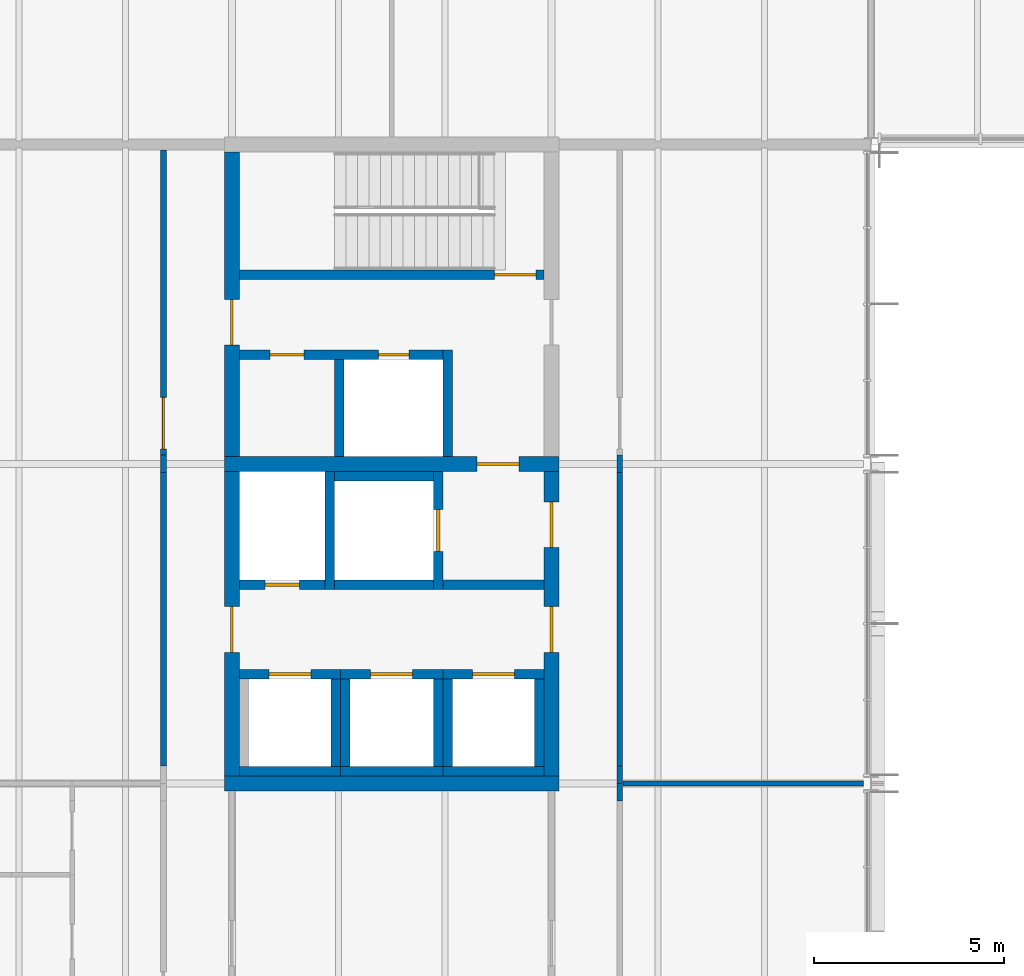
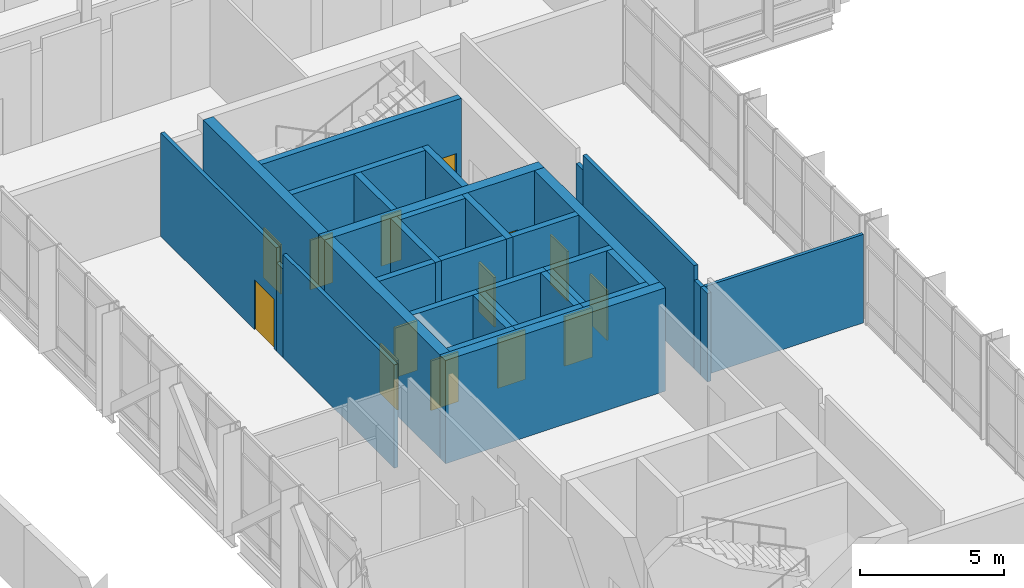
# One storey, part 45 of 72: 34 walls, 14 doors, 14 openings.
"""IFC4 building model written with IfcOpenShell, lengths in metres."""

from ifc_helpers import new_model, si_unit, direction, frame, frame_2d, origin, place, context, subcontext, project, spatial, rectangle, extrude, material, layer, layer_set, type_object, element, fill, save


model = new_model("IFC4")

# Units and contexts
model_context = context("Model", 3, precision=1e-05, world=origin(), true_north=direction((0.0, 1.0)))
body_context = subcontext(model_context, "Body", "Model", "MODEL_VIEW")
ifc_project = project(units=[si_unit("LENGTHUNIT", "METRE"), si_unit("AREAUNIT", "SQUARE_METRE"), si_unit("VOLUMEUNIT", "CUBIC_METRE"), si_unit("PLANEANGLEUNIT", "RADIAN"), si_unit("MASSUNIT", "GRAM", prefix="KILO")], contexts=[model_context])

# Site, building, storey
site_placement = place(None, origin())
site = spatial("IfcSite", under=ifc_project, at=site_placement, CompositionType="ELEMENT")
building_placement = place(site_placement, origin())
building = spatial("IfcBuilding", under=site, at=building_placement, Name="Hlaing Beacon Police Headquarters", CompositionType="ELEMENT")
storey_placement = place(building_placement, frame((0.0, 0.0, 14.39990234375)))
storey = spatial("IfcBuildingStorey", under=building, at=storey_placement, Name="L03", CompositionType="ELEMENT", Elevation=14.39990234375)

# Wall
ifc_material_1 = material(Name="Concrete C60/75", Category="concrete")
ifc_layer_1 = layer(ifc_material_1, 0.39990234375)
ifc_layer_set_1 = layer_set([ifc_layer_1], Name="Concrete C60/75")
wall_type_1 = type_object("IfcWallType", Name="Core shear wall 400", PredefinedType="SHEAR", material=ifc_layer_set_1)
wall_1_placement = place(storey_placement, frame((109.0, 50.39990234375, 0.0), z_axis=(0.0, 0.0, 1.0), x_axis=(1.0, 0.0, 0.0)))
element("IfcWall", 1, at=wall_1_placement, inside=storey, type_object=wall_type_1, Name="Core shear wall", PredefinedType="SHEAR", context=body_context, shape_type="SweptSolid", body=[
    extrude(rectangle(XDim=8.800048828125, YDim=0.39990234375, at=frame_2d((4.39990234375, 0.0))), origin(), (0.0, 0.0, 1.0), 4.3701171875),
])

# Wall, opening, door
wall_2_placement = place(storey_placement, frame((109.0, 58.800048828125, 0.0), z_axis=(0.0, 0.0, 1.0), x_axis=(1.0, 0.0, 0.0)))
wall_2 = element("IfcWall", 2, at=wall_2_placement, inside=storey, type_object=wall_type_1, Name="Core shear wall", PredefinedType="SHEAR", context=body_context, shape_type="SweptSolid", body=[
    extrude(rectangle(XDim=8.800048828125, YDim=0.39990234375, at=frame_2d((4.39990234375, 0.0))), origin(), (0.0, 0.0, 1.0), 4.3701171875),
])
opening_1_placement = place(wall_2_placement, frame((6.64990234375, 0.0, 0.0)))
opening_1 = element("IfcOpeningElement", 3, at=opening_1_placement, cuts=wall_2, Name="Opening L03-910", PredefinedType="OPENING", context=body_context, shape_type="SweptSolid", body=[
    extrude(rectangle(XDim=1.10009765625, YDim=2.10009765625, at=frame_2d((0.550048828125, 1.050048828125))), frame((0.0, 0.2099609375, 0.0), z_axis=(0.0, -1.0, 0.0), x_axis=(1.0, 0.0, 0.0)), (0.0, 0.0, 1.0), 0.419921875),
])
ifc_material_2 = material(Name="Steel fire door leaf", Category="steel")
ifc_layer_2 = layer(ifc_material_2, 0.070068359375)
ifc_layer_set_2 = layer_set([ifc_layer_2], Name="Steel fire door leaf")
door_type_1 = type_object("IfcDoorType", Name="Steel fire door FD60S 1100x2100", OperationType="SINGLE_SWING_LEFT", PredefinedType="DOOR", material=ifc_layer_set_2)
door_1_placement = place(opening_1_placement, origin())
door_1 = element("IfcDoor", 4, at=door_1_placement, inside=storey, type_object=door_type_1, Name="Door Firefighting Lobby Stair", OperationType="SINGLE_SWING_LEFT", OverallHeight=2.10009765625, OverallWidth=1.10009765625, PredefinedType="DOOR", context=body_context, shape_type="SweptSolid", body=[
    extrude(rectangle(XDim=1.10009765625, YDim=2.10009765625, at=frame_2d((0.550048828125, 1.050048828125))), frame((0.0, 0.03515625, 0.0), z_axis=(0.0, -1.0, 0.0), x_axis=(1.0, 0.0, 0.0)), (0.0, 0.0, 1.0), 0.070068359375),
])
fill(opening_1, door_1)

wall_3_placement = place(storey_placement, frame((109.199951171875, 50.60009765625, 0.0), z_axis=(0.0, 0.0, 1.0), x_axis=(0.0, 1.0, 0.0)))
wall_3 = element("IfcWall", 5, at=wall_3_placement, inside=storey, type_object=wall_type_1, Name="Core shear wall", PredefinedType="SHEAR", context=body_context, shape_type="SweptSolid", body=[
    extrude(rectangle(XDim=8.0, YDim=0.39990234375, at=frame_2d((4.0, 0.0))), origin(), (0.0, 0.0, 1.0), 4.3701171875),
])
opening_2_placement = place(wall_3_placement, frame((3.25, 0.0, 0.0)))
opening_2 = element("IfcOpeningElement", 6, at=opening_2_placement, cuts=wall_3, Name="Opening L03-907", PredefinedType="OPENING", context=body_context, shape_type="SweptSolid", body=[
    extrude(rectangle(XDim=1.199951171875, YDim=2.10009765625, at=frame_2d((0.60009765625, 1.050048828125))), frame((0.0, 0.2099609375, 0.0), z_axis=(0.0, -1.0, 0.0), x_axis=(1.0, 0.0, 0.0)), (0.0, 0.0, 1.0), 0.419921875),
])
ifc_material_3 = material(Name="Steel fire door leaf", Category="steel")
ifc_layer_3 = layer(ifc_material_3, 0.070068359375)
ifc_layer_set_3 = layer_set([ifc_layer_3], Name="Steel fire door leaf")
door_type_2 = type_object("IfcDoorType", Name="Steel fire door FD60S 1200x2100", OperationType="SINGLE_SWING_LEFT", PredefinedType="DOOR", material=ifc_layer_set_3)
door_2_placement = place(opening_2_placement, frame((1.199951171875, 0.0, 0.0), z_axis=(0.0, 0.0, 1.0), x_axis=(-1.0, 0.0, 0.0)))
door_2 = element("IfcDoor", 7, at=door_2_placement, inside=storey, type_object=door_type_2, Name="Door Lift Lobby Entry", OperationType="SINGLE_SWING_LEFT", OverallHeight=2.10009765625, OverallWidth=1.199951171875, PredefinedType="DOOR", context=body_context, shape_type="SweptSolid", body=[
    extrude(rectangle(XDim=1.199951171875, YDim=2.10009765625, at=frame_2d((0.599853515625, 1.050048828125))), frame((0.0, 0.034912109375, 0.0), z_axis=(0.0, -1.0, 0.0), x_axis=(1.0, 0.0, 0.0)), (0.0, 0.0, 1.0), 0.070068359375),
])
fill(opening_2, door_2)

# Wall, openings, doors
wall_4_placement = place(storey_placement, frame((117.60009765625, 50.60009765625, 0.0), z_axis=(0.0, 0.0, 1.0), x_axis=(0.0, 1.0, 0.0)))
wall_4 = element("IfcWall", 8, at=wall_4_placement, inside=storey, type_object=wall_type_1, Name="Core shear wall", PredefinedType="SHEAR", context=body_context, shape_type="SweptSolid", body=[
    extrude(rectangle(XDim=8.0, YDim=0.39990234375, at=frame_2d((4.0, 0.0))), origin(), (0.0, 0.0, 1.0), 4.3701171875),
])
opening_3_placement = place(wall_4_placement, frame((3.25, 0.0, 0.0)))
opening_3 = element("IfcOpeningElement", 9, at=opening_3_placement, cuts=wall_4, Name="Opening L03-908", PredefinedType="OPENING", context=body_context, shape_type="SweptSolid", body=[
    extrude(rectangle(XDim=1.199951171875, YDim=2.10009765625, at=frame_2d((0.60009765625, 1.050048828125))), frame((0.0, 0.2099609375, 0.0), z_axis=(0.0, -1.0, 0.0), x_axis=(1.0, 0.0, 0.0)), (0.0, 0.0, 1.0), 0.419921875),
])
opening_4_placement = place(wall_4_placement, frame((6.0, 0.0, 0.0)))
opening_4 = element("IfcOpeningElement", 10, at=opening_4_placement, cuts=wall_4, Name="Opening L03-909", PredefinedType="OPENING", context=body_context, shape_type="SweptSolid", body=[
    extrude(rectangle(XDim=1.199951171875, YDim=2.10009765625, at=frame_2d((0.60009765625, 1.050048828125))), frame((0.0, 0.2099609375, 0.0), z_axis=(0.0, -1.0, 0.0), x_axis=(1.0, 0.0, 0.0)), (0.0, 0.0, 1.0), 0.419921875),
])
door_3_placement = place(opening_3_placement, origin())
door_3 = element("IfcDoor", 11, at=door_3_placement, inside=storey, type_object=door_type_2, Name="Door Lift Lobby Entry", OperationType="SINGLE_SWING_RIGHT", OverallHeight=2.10009765625, OverallWidth=1.199951171875, PredefinedType="DOOR", context=body_context, shape_type="SweptSolid", body=[
    extrude(rectangle(XDim=1.199951171875, YDim=2.10009765625, at=frame_2d((0.60009765625, 1.050048828125))), frame((0.0, 0.03515625, 0.0), z_axis=(0.0, -1.0, 0.0), x_axis=(1.0, 0.0, 0.0)), (0.0, 0.0, 1.0), 0.070068359375),
])
fill(opening_3, door_3)
door_4_placement = place(opening_4_placement, origin())
door_4 = element("IfcDoor", 12, at=door_4_placement, inside=storey, type_object=door_type_2, Name="Door Firefighting Lobby Entry", OperationType="SINGLE_SWING_LEFT", OverallHeight=2.10009765625, OverallWidth=1.199951171875, PredefinedType="DOOR", context=body_context, shape_type="SweptSolid", body=[
    extrude(rectangle(XDim=1.199951171875, YDim=2.10009765625, at=frame_2d((0.60009765625, 1.050048828125))), frame((0.0, 0.03515625, 0.0), z_axis=(0.0, -1.0, 0.0), x_axis=(1.0, 0.0, 0.0)), (0.0, 0.0, 1.0), 0.070068359375),
])
fill(opening_4, door_4)

# Wall, opening, door
wall_5_placement = place(storey_placement, frame((109.199951171875, 59.0, 0.0), z_axis=(0.0, 0.0, 1.0), x_axis=(0.0, 1.0, 0.0)))
wall_5 = element("IfcWall", 13, at=wall_5_placement, inside=storey, type_object=wall_type_1, Name="Core shear wall", PredefinedType="SHEAR", context=body_context, shape_type="SweptSolid", body=[
    extrude(rectangle(XDim=8.0, YDim=0.39990234375, at=frame_2d((4.0, 0.0))), origin(), (0.0, 0.0, 1.0), 4.3701171875),
])
opening_5_placement = place(wall_5_placement, frame((2.925048828125, 0.0, 0.0)))
opening_5 = element("IfcOpeningElement", 14, at=opening_5_placement, cuts=wall_5, Name="Opening L03-913", PredefinedType="OPENING", context=body_context, shape_type="SweptSolid", body=[
    extrude(rectangle(XDim=1.199951171875, YDim=2.10009765625, at=frame_2d((0.60009765625, 1.050048828125))), frame((0.0, 0.2099609375, 0.0), z_axis=(0.0, -1.0, 0.0), x_axis=(1.0, 0.0, 0.0)), (0.0, 0.0, 1.0), 0.419921875),
])
door_5_placement = place(opening_5_placement, frame((1.199951171875, 0.0, 0.0), z_axis=(0.0, 0.0, 1.0), x_axis=(-1.0, 0.0, 0.0)))
door_5 = element("IfcDoor", 15, at=door_5_placement, inside=storey, type_object=door_type_2, Name="Door Stair Lobby ST-M Entry", OperationType="SINGLE_SWING_LEFT", OverallHeight=2.10009765625, OverallWidth=1.199951171875, PredefinedType="DOOR", context=body_context, shape_type="SweptSolid", body=[
    extrude(rectangle(XDim=1.199951171875, YDim=2.10009765625, at=frame_2d((0.599853515625, 1.050048828125))), frame((0.0, 0.034912109375, 0.0), z_axis=(0.0, -1.0, 0.0), x_axis=(1.0, 0.0, 0.0)), (0.0, 0.0, 1.0), 0.070068359375),
])
fill(opening_5, door_5)

# Walls
ifc_material_4 = material(Name="Gypsum board partition")
ifc_layer_4 = layer(ifc_material_4, 0.14990234375)
ifc_layer_set_4 = layer_set([ifc_layer_4], Name="Gypsum board partition")
wall_type_2 = type_object("IfcWallType", Name="Corridor wall EI 30 150", PredefinedType="PARTITIONING", material=ifc_layer_set_4)
wall_6_placement = place(storey_placement, frame((119.39990234375, 49.93994140625, 0.0), z_axis=(0.0, 0.0, 1.0), x_axis=(0.0, 1.0, 0.0)))
element("IfcWall", 16, at=wall_6_placement, inside=storey, type_object=wall_type_2, Name="Corridor wall EI 30 150", PredefinedType="PARTITIONING", context=body_context, shape_type="SweptSolid", body=[
    extrude(rectangle(XDim=0.4599609375, YDim=0.14990234375, at=frame_2d((0.22998046875, 0.0))), origin(), (0.0, 0.0, 1.0), 3.74609375),
])
wall_7_placement = place(storey_placement, frame((119.39990234375, 50.39990234375, 0.0), z_axis=(0.0, 0.0, 1.0), x_axis=(0.0, 1.0, 0.0)))
element("IfcWall", 17, at=wall_7_placement, inside=storey, type_object=wall_type_2, Name="Corridor wall EI 30 150", PredefinedType="PARTITIONING", context=body_context, shape_type="SweptSolid", body=[
    extrude(rectangle(XDim=0.460205078125, YDim=0.14990234375, at=frame_2d((0.22998046875, 0.0))), origin(), (0.0, 0.0, 1.0), 3.74609375),
])
wall_8_placement = place(storey_placement, frame((119.39990234375, 50.860107421875, 0.0), z_axis=(0.0, 0.0, 1.0), x_axis=(0.0, 1.0, 0.0)))
element("IfcWall", 18, at=wall_8_placement, inside=storey, type_object=wall_type_2, Name="Corridor wall EI 30 150", PredefinedType="PARTITIONING", context=body_context, shape_type="SweptSolid", body=[
    extrude(rectangle(XDim=7.7099609375, YDim=0.14990234375, at=frame_2d((3.85498046875, 0.0))), origin(), (0.0, 0.0, 1.0), 4.3701171875),
])
wall_9_placement = place(storey_placement, frame((119.39990234375, 58.570068359375, 0.0), z_axis=(0.0, 0.0, 1.0), x_axis=(0.0, 1.0, 0.0)))
element("IfcWall", 19, at=wall_9_placement, inside=storey, type_object=wall_type_2, Name="Corridor wall EI 30 150", PredefinedType="PARTITIONING", context=body_context, shape_type="SweptSolid", body=[
    extrude(rectangle(XDim=0.4599609375, YDim=0.14990234375, at=frame_2d((0.22998046875, 0.0))), origin(), (0.0, 0.0, 1.0), 3.74609375),
])
wall_10_placement = place(storey_placement, frame((107.39990234375, 50.860107421875, 0.0), z_axis=(0.0, 0.0, 1.0), x_axis=(0.0, 1.0, 0.0)))
element("IfcWall", 20, at=wall_10_placement, inside=storey, type_object=wall_type_2, Name="Corridor wall EI 30 150", PredefinedType="PARTITIONING", context=body_context, shape_type="SweptSolid", body=[
    extrude(rectangle(XDim=7.7099609375, YDim=0.14990234375, at=frame_2d((3.85498046875, 0.0))), origin(), (0.0, 0.0, 1.0), 4.3701171875),
])
wall_11_placement = place(storey_placement, frame((107.39990234375, 58.570068359375, 0.0), z_axis=(0.0, 0.0, 1.0), x_axis=(0.0, 1.0, 0.0)))
element("IfcWall", 21, at=wall_11_placement, inside=storey, type_object=wall_type_2, Name="Corridor wall EI 30 150", PredefinedType="PARTITIONING", context=body_context, shape_type="SweptSolid", body=[
    extrude(rectangle(XDim=0.4599609375, YDim=0.14990234375, at=frame_2d((0.22998046875, 0.0))), origin(), (0.0, 0.0, 1.0), 3.74609375),
])

# Wall, opening, door
wall_12_placement = place(storey_placement, frame((107.39990234375, 59.030029296875, 0.0), z_axis=(0.0, 0.0, 1.0), x_axis=(0.0, 1.0, 0.0)))
wall_12 = element("IfcWall", 22, at=wall_12_placement, inside=storey, type_object=wall_type_2, Name="Corridor wall EI 30 150", PredefinedType="PARTITIONING", context=body_context, shape_type="SweptSolid", body=[
    extrude(rectangle(XDim=8.02001953125, YDim=0.14990234375, at=frame_2d((4.010009765625, 0.0))), origin(), (0.0, 0.0, 1.0), 4.3701171875),
])
opening_6_placement = place(wall_12_placement, frame((0.169921875, 0.0, 0.0)))
opening_6 = element("IfcOpeningElement", 23, at=opening_6_placement, cuts=wall_12, Name="Opening L03-022", PredefinedType="OPENING", context=body_context, shape_type="SweptSolid", body=[
    extrude(rectangle(XDim=1.35009765625, YDim=2.10009765625, at=frame_2d((0.675048828125, 1.050048828125))), frame((0.0, 0.0849609375, 0.0), z_axis=(0.0, -1.0, 0.0), x_axis=(1.0, 0.0, 0.0)), (0.0, 0.0, 1.0), 0.169921875),
])
ifc_material_5 = material(Name="Hardwood door leaf", Category="wood")
ifc_layer_5 = layer(ifc_material_5, 0.050048828125)
ifc_layer_set_5 = layer_set([ifc_layer_5], Name="Hardwood door leaf")
door_type_3 = type_object("IfcDoorType", Name="Fire leaf-and-a-half door FD30S 1350x2100", OperationType="DOUBLE_DOOR_SINGLE_SWING", PredefinedType="DOOR", material=ifc_layer_set_5)
door_6_placement = place(opening_6_placement, origin())
door_6 = element("IfcDoor", 24, at=door_6_placement, inside=storey, type_object=door_type_3, Name="Door Major Crime Analysts' Office", OperationType="DOUBLE_DOOR_SINGLE_SWING", OverallHeight=2.10009765625, OverallWidth=1.35009765625, PredefinedType="DOOR", context=body_context, shape_type="SweptSolid", body=[
    extrude(rectangle(XDim=1.35009765625, YDim=2.10009765625, at=frame_2d((0.675048828125, 1.050048828125))), frame((0.0, 0.02490234375, 0.0), z_axis=(0.0, -1.0, 0.0), x_axis=(1.0, 0.0, 0.0)), (0.0, 0.0, 1.0), 0.050048828125),
])
fill(opening_6, door_6)

# Wall
ifc_material_6 = material(Name="Gypsum board partition")
ifc_layer_6 = layer(ifc_material_6, 0.125)
ifc_layer_set_6 = layer_set([ifc_layer_6], Name="Gypsum board partition")
wall_type_3 = type_object("IfcWallType", Name="Partition 125", PredefinedType="PARTITIONING", material=ifc_layer_set_6)
wall_13_placement = place(storey_placement, frame((119.47509765625, 50.39990234375, 0.0), z_axis=(0.0, 0.0, 1.0), x_axis=(1.0, 0.0, 0.0)))
element("IfcWall", 25, at=wall_13_placement, inside=storey, type_object=wall_type_3, Name="Partition 125", PredefinedType="PARTITIONING", context=body_context, shape_type="SweptSolid", body=[
    extrude(rectangle(XDim=6.326904296875, YDim=0.125, at=frame_2d((3.16357421875, 0.0))), origin(), (0.0, 0.0, 1.0), 3.74609375),
])

# Wall, opening, door
ifc_material_7 = material(Name="Concrete C40/50", Category="concrete")
ifc_layer_7 = layer(ifc_material_7, 0.25)
ifc_layer_set_7 = layer_set([ifc_layer_7], Name="Concrete C40/50")
wall_type_4 = type_object("IfcWallType", Name="Shaft wall 250", PredefinedType="SOLIDWALL", material=ifc_layer_set_7)
wall_14_placement = place(storey_placement, frame((109.39990234375, 55.625, 0.0), z_axis=(0.0, 0.0, 1.0), x_axis=(1.0, 0.0, 0.0)))
wall_14 = element("IfcWall", 26, at=wall_14_placement, inside=storey, type_object=wall_type_4, Name="Lobby wall", PredefinedType="SOLIDWALL", context=body_context, shape_type="SweptSolid", body=[
    extrude(rectangle(XDim=2.25, YDim=0.25, at=frame_2d((1.125, 0.0))), origin(), (0.0, 0.0, 1.0), 4.3701171875),
])
opening_7_placement = place(wall_14_placement, frame((0.675048828125, 0.0, 0.0)))
opening_7 = element("IfcOpeningElement", 27, at=opening_7_placement, cuts=wall_14, Name="Opening L03-911", PredefinedType="OPENING", context=body_context, shape_type="SweptSolid", body=[
    extrude(rectangle(XDim=0.89990234375, YDim=2.10009765625, at=frame_2d((0.449951171875, 1.050048828125))), frame((0.0, 0.135009765625, 0.0), z_axis=(0.0, -1.0, 0.0), x_axis=(1.0, 0.0, 0.0)), (0.0, 0.0, 1.0), 0.27001953125),
])
ifc_material_8 = material(Name="Steel fire door leaf", Category="steel")
ifc_layer_8 = layer(ifc_material_8, 0.10009765625)
ifc_layer_set_8 = layer_set([ifc_layer_8], Name="Steel fire door leaf")
door_type_4 = type_object("IfcDoorType", Name="Steel fire door FD120 900x2100", OperationType="SINGLE_SWING_LEFT", PredefinedType="DOOR", material=ifc_layer_set_8)
door_7_placement = place(opening_7_placement, origin())
door_7 = element("IfcDoor", 28, at=door_7_placement, inside=storey, type_object=door_type_4, Name="Door Electrical Riser Room", OperationType="SINGLE_SWING_LEFT", OverallHeight=2.10009765625, OverallWidth=0.89990234375, PredefinedType="DOOR", context=body_context, shape_type="SweptSolid", body=[
    extrude(rectangle(XDim=0.89990234375, YDim=2.10009765625, at=frame_2d((0.449951171875, 1.050048828125))), frame((0.0, 0.050048828125, 0.0), z_axis=(0.0, -1.0, 0.0), x_axis=(1.0, 0.0, 0.0)), (0.0, 0.0, 1.0), 0.10009765625),
])
fill(opening_7, door_7)

# Wall
wall_15_placement = place(storey_placement, frame((114.75, 55.625, 0.0), z_axis=(0.0, 0.0, 1.0), x_axis=(1.0, 0.0, 0.0)))
element("IfcWall", 29, at=wall_15_placement, inside=storey, type_object=wall_type_4, Name="Firefighting lobby wall", PredefinedType="SOLIDWALL", context=body_context, shape_type="SweptSolid", body=[
    extrude(rectangle(XDim=2.64990234375, YDim=0.25, at=frame_2d((1.324951171875, 0.0))), origin(), (0.0, 0.0, 1.0), 4.3701171875),
])

# Wall, opening, door
wall_16_placement = place(storey_placement, frame((117.39990234375, 63.77490234375, 0.0), z_axis=(0.0, 0.0, 1.0), x_axis=(-1.0, 0.0, 0.0)))
wall_16 = element("IfcWall", 30, at=wall_16_placement, inside=storey, type_object=wall_type_4, Name="Stair enclosure wall", PredefinedType="SOLIDWALL", context=body_context, shape_type="SweptSolid", body=[
    extrude(rectangle(XDim=8.0, YDim=0.25, at=frame_2d((4.0, 0.0))), origin(), (0.0, 0.0, 1.0), 4.3701171875),
])
opening_8_placement = place(wall_16_placement, frame((0.199951171875, 0.0, 0.0)))
opening_8 = element("IfcOpeningElement", 31, at=opening_8_placement, cuts=wall_16, Name="Opening L03-916", PredefinedType="OPENING", context=body_context, shape_type="SweptSolid", body=[
    extrude(rectangle(XDim=1.10009765625, YDim=2.10009765625, at=frame_2d((0.550048828125, 1.050048828125))), frame((0.0, 0.135009765625, 0.0), z_axis=(0.0, -1.0, 0.0), x_axis=(1.0, 0.0, 0.0)), (0.0, 0.0, 1.0), 0.27001953125),
])
ifc_material_9 = material(Name="Steel fire door leaf", Category="steel")
ifc_layer_9 = layer(ifc_material_9, 0.070068359375)
ifc_layer_set_9 = layer_set([ifc_layer_9], Name="Steel fire door leaf")
door_type_5 = type_object("IfcDoorType", Name="Steel fire door FD60 1100x2100", OperationType="SINGLE_SWING_LEFT", PredefinedType="DOOR", material=ifc_layer_set_9)
door_8_placement = place(opening_8_placement, frame((1.10009765625, 0.0, 0.0), z_axis=(0.0, 0.0, 1.0), x_axis=(-1.0, 0.0, 0.0)))
door_8 = element("IfcDoor", 32, at=door_8_placement, inside=storey, type_object=door_type_5, Name="Door Stair ST-M", OperationType="SINGLE_SWING_LEFT", OverallHeight=2.10009765625, OverallWidth=1.10009765625, PredefinedType="DOOR", context=body_context, shape_type="SweptSolid", body=[
    extrude(rectangle(XDim=1.10009765625, YDim=2.10009765625, at=frame_2d((0.550048828125, 1.050048828125))), frame((0.0, 0.034912109375, 0.0), z_axis=(0.0, -1.0, 0.0), x_axis=(1.0, 0.0, 0.0)), (0.0, 0.0, 1.0), 0.070068359375),
])
fill(opening_8, door_8)

# Wall
wall_17_placement = place(storey_placement, frame((114.875, 61.800048828125, 0.0), z_axis=(0.0, 0.0, 1.0), x_axis=(0.0, -1.0, 0.0)))
element("IfcWall", 33, at=wall_17_placement, inside=storey, type_object=wall_type_4, Name="Lobby wall", PredefinedType="SOLIDWALL", context=body_context, shape_type="SweptSolid", body=[
    extrude(rectangle(XDim=2.800048828125, YDim=0.25, at=frame_2d((1.39990234375, 0.0))), origin(), (0.0, 0.0, 1.0), 4.3701171875),
])

# Wall, openings, doors
wall_18_placement = place(storey_placement, frame((114.75, 61.675048828125, 0.0), z_axis=(0.0, 0.0, 1.0), x_axis=(-1.0, 0.0, 0.0)))
wall_18 = element("IfcWall", 34, at=wall_18_placement, inside=storey, type_object=wall_type_4, Name="Lobby wall", PredefinedType="SOLIDWALL", context=body_context, shape_type="SweptSolid", body=[
    extrude(rectangle(XDim=5.35009765625, YDim=0.25, at=frame_2d((2.675048828125, 0.0))), origin(), (0.0, 0.0, 1.0), 4.3701171875),
])
opening_9_placement = place(wall_18_placement, frame((3.64990234375, 0.0, 0.0)))
opening_9 = element("IfcOpeningElement", 35, at=opening_9_placement, cuts=wall_18, Name="Opening L03-912", PredefinedType="OPENING", context=body_context, shape_type="SweptSolid", body=[
    extrude(rectangle(XDim=0.89990234375, YDim=2.10009765625, at=frame_2d((0.449951171875, 1.050048828125))), frame((0.0, 0.135009765625, 0.0), z_axis=(0.0, -1.0, 0.0), x_axis=(1.0, 0.0, 0.0)), (0.0, 0.0, 1.0), 0.27001953125),
])
opening_10_placement = place(wall_18_placement, frame((0.89990234375, 0.0, 0.0)))
opening_10 = element("IfcOpeningElement", 36, at=opening_10_placement, cuts=wall_18, Name="Opening L03-915", PredefinedType="OPENING", context=body_context, shape_type="SweptSolid", body=[
    extrude(rectangle(XDim=0.800048828125, YDim=2.10009765625, at=frame_2d((0.39990234375, 1.050048828125))), frame((0.0, 0.135009765625, 0.0), z_axis=(0.0, -1.0, 0.0), x_axis=(1.0, 0.0, 0.0)), (0.0, 0.0, 1.0), 0.27001953125),
])
ifc_material_10 = material(Name="Steel fire door leaf", Category="steel")
ifc_layer_10 = layer(ifc_material_10, 0.070068359375)
ifc_layer_set_10 = layer_set([ifc_layer_10], Name="Steel fire door leaf")
door_type_6 = type_object("IfcDoorType", Name="Steel fire door FD60 800x2100", OperationType="SINGLE_SWING_LEFT", PredefinedType="DOOR", material=ifc_layer_set_10)
door_9_placement = place(opening_10_placement, origin())
door_9 = element("IfcDoor", 37, at=door_9_placement, inside=storey, type_object=door_type_6, Name="Door Services Riser", OperationType="SINGLE_SWING_RIGHT", OverallHeight=2.10009765625, OverallWidth=0.800048828125, PredefinedType="DOOR", context=body_context, shape_type="SweptSolid", body=[
    extrude(rectangle(XDim=0.800048828125, YDim=2.10009765625, at=frame_2d((0.39990234375, 1.050048828125))), frame((0.0, 0.03515625, 0.0), z_axis=(0.0, -1.0, 0.0), x_axis=(1.0, 0.0, 0.0)), (0.0, 0.0, 1.0), 0.070068359375),
])
fill(opening_10, door_9)
ifc_material_11 = material(Name="Steel fire door leaf", Category="steel")
ifc_layer_11 = layer(ifc_material_11, 0.070068359375)
ifc_layer_set_11 = layer_set([ifc_layer_11], Name="Steel fire door leaf")
door_type_7 = type_object("IfcDoorType", Name="Steel fire door FD60 900x2100", OperationType="SINGLE_SWING_LEFT", PredefinedType="DOOR", material=ifc_layer_set_11)
door_10_placement = place(opening_9_placement, origin())
door_10 = element("IfcDoor", 38, at=door_10_placement, inside=storey, type_object=door_type_7, Name="Door Cleaners' Store", OperationType="SINGLE_SWING_LEFT", OverallHeight=2.10009765625, OverallWidth=0.89990234375, PredefinedType="DOOR", context=body_context, shape_type="SweptSolid", body=[
    extrude(rectangle(XDim=0.89990234375, YDim=2.10009765625, at=frame_2d((0.449951171875, 1.050048828125))), frame((0.0, 0.03515625, 0.0), z_axis=(0.0, -1.0, 0.0), x_axis=(1.0, 0.0, 0.0)), (0.0, 0.0, 1.0), 0.070068359375),
])
fill(opening_9, door_10)

# Wall
wall_19_placement = place(storey_placement, frame((112.02490234375, 61.550048828125, 0.0), z_axis=(0.0, 0.0, 1.0), x_axis=(0.0, -1.0, 0.0)))
element("IfcWall", 39, at=wall_19_placement, inside=storey, type_object=wall_type_4, Name="Riser wall", PredefinedType="SOLIDWALL", context=body_context, shape_type="SweptSolid", body=[
    extrude(rectangle(XDim=2.550048828125, YDim=0.25, at=frame_2d((1.27490234375, 0.0))), origin(), (0.0, 0.0, 1.0), 4.3701171875),
])

# Wall, opening, door
wall_20_placement = place(storey_placement, frame((114.625, 55.5, 0.0), z_axis=(0.0, 0.0, 1.0), x_axis=(0.0, 1.0, 0.0)))
wall_20 = element("IfcWall", 40, at=wall_20_placement, inside=storey, type_object=wall_type_4, Name="Lift shaft wall FL1", PredefinedType="SOLIDWALL", context=body_context, shape_type="SweptSolid", body=[
    extrude(rectangle(XDim=3.10009765625, YDim=0.25, at=frame_2d((1.550048828125, 0.0))), origin(), (0.0, 0.0, 1.0), 4.3701171875),
])
opening_11_placement = place(wall_20_placement, frame((1.0, 0.0, 0.0)))
opening_11 = element("IfcOpeningElement", 41, at=opening_11_placement, cuts=wall_20, Name="Opening LD-FL1-L03", PredefinedType="OPENING", context=body_context, shape_type="SweptSolid", body=[
    extrude(rectangle(XDim=1.10009765625, YDim=2.10009765625, at=frame_2d((0.550048828125, 1.050048828125))), frame((0.0, 0.135009765625, 0.0), z_axis=(0.0, -1.0, 0.0), x_axis=(1.0, 0.0, 0.0)), (0.0, 0.0, 1.0), 0.27001953125),
])
ifc_material_12 = material(Name="Stainless steel lift landing door", Category="steel")
ifc_layer_12 = layer(ifc_material_12, 0.06005859375)
ifc_layer_set_12 = layer_set([ifc_layer_12], Name="Stainless steel lift landing door")
door_type_8 = type_object("IfcDoorType", Name="Lift landing door 1100x2100", OperationType="DOUBLE_DOOR_SLIDING", PredefinedType="DOOR", material=ifc_layer_set_12)
door_11_placement = place(opening_11_placement, origin())
door_11 = element("IfcDoor", 42, at=door_11_placement, inside=storey, type_object=door_type_8, Name="Landing door FL1 L03", OperationType="DOUBLE_DOOR_SLIDING", OverallHeight=2.10009765625, OverallWidth=1.10009765625, PredefinedType="DOOR", context=body_context, shape_type="SweptSolid", body=[
    extrude(rectangle(XDim=1.10009765625, YDim=2.10009765625, at=frame_2d((0.550048828125, 1.050048828125))), frame((0.0, 0.0400390625, 0.0), z_axis=(0.0, -1.0, 0.0), x_axis=(1.0, 0.0, 0.0)), (0.0, 0.0, 1.0), 0.080078125),
])
fill(opening_11, door_11)

# Walls
for number, where, z_axis, x_axis, name in (
    (43, (111.89990234375, 58.47509765625, 0.0), (0.0, 0.0, 1.0), (1.0, 0.0, 0.0), "Lift shaft wall FL1"),
    (44, (111.89990234375, 55.625, 0.0), (0.0, 0.0, 1.0), (1.0, 0.0, 0.0), "Lift shaft wall FL1"),
):
    element("IfcWall", number, at=place(storey_placement, frame(where, z_axis=z_axis, x_axis=x_axis)), inside=storey, type_object=wall_type_4, Name=name, PredefinedType="SOLIDWALL", context=body_context, shape_type="SweptSolid", body=[
        extrude(rectangle(XDim=2.60009765625, YDim=0.25, at=frame_2d((1.300048828125, 0.0))), origin(), (0.0, 0.0, 1.0), 4.3701171875),
    ])
wall_21_placement = place(storey_placement, frame((111.77490234375, 55.5, 0.0), z_axis=(0.0, 0.0, 1.0), x_axis=(0.0, 1.0, 0.0)))
element("IfcWall", 45, at=wall_21_placement, inside=storey, type_object=wall_type_4, Name="Lift shaft wall FL1", PredefinedType="SOLIDWALL", context=body_context, shape_type="SweptSolid", body=[
    extrude(rectangle(XDim=3.10009765625, YDim=0.25, at=frame_2d((1.550048828125, 0.0))), origin(), (0.0, 0.0, 1.0), 4.3701171875),
])
wall_22_placement = place(storey_placement, frame((111.925048828125, 50.85009765625, 0.0), z_axis=(0.0, 0.0, 1.0), x_axis=(0.0, 1.0, 0.0)))
element("IfcWall", 46, at=wall_22_placement, inside=storey, type_object=wall_type_4, Name="Lift shaft wall PL7", PredefinedType="SOLIDWALL", context=body_context, shape_type="SweptSolid", body=[
    extrude(rectangle(XDim=2.2998046875, YDim=0.25, at=frame_2d((1.14990234375, 0.0))), origin(), (0.0, 0.0, 1.0), 4.3701171875),
])

# Wall, opening, door
wall_23_placement = place(storey_placement, frame((109.39990234375, 53.27490234375, 0.0), z_axis=(0.0, 0.0, 1.0), x_axis=(1.0, 0.0, 0.0)))
wall_23 = element("IfcWall", 47, at=wall_23_placement, inside=storey, type_object=wall_type_4, Name="Lift shaft wall PL7", PredefinedType="SOLIDWALL", context=body_context, shape_type="SweptSolid", body=[
    extrude(rectangle(XDim=2.650146484375, YDim=0.25, at=frame_2d((1.3251953125, 0.0))), origin(), (0.0, 0.0, 1.0), 4.3701171875),
])
opening_12_placement = place(wall_23_placement, frame((0.77490234375, 0.0, 0.0)))
opening_12 = element("IfcOpeningElement", 48, at=opening_12_placement, cuts=wall_23, Name="Opening LD-PL7-L03", PredefinedType="OPENING", context=body_context, shape_type="SweptSolid", body=[
    extrude(rectangle(XDim=1.10009765625, YDim=2.10009765625, at=frame_2d((0.550048828125, 1.050048828125))), frame((0.0, 0.135009765625, 0.0), z_axis=(0.0, -1.0, 0.0), x_axis=(1.0, 0.0, 0.0)), (0.0, 0.0, 1.0), 0.27001953125),
])
door_12_placement = place(opening_12_placement, origin())
door_12 = element("IfcDoor", 49, at=door_12_placement, inside=storey, type_object=door_type_8, Name="Landing door PL7 L03", OperationType="DOUBLE_DOOR_SLIDING", OverallHeight=2.10009765625, OverallWidth=1.10009765625, PredefinedType="DOOR", context=body_context, shape_type="SweptSolid", body=[
    extrude(rectangle(XDim=1.10009765625, YDim=2.10009765625, at=frame_2d((0.550048828125, 1.050048828125))), frame((0.0, 0.0400390625, 0.0), z_axis=(0.0, -1.0, 0.0), x_axis=(1.0, 0.0, 0.0)), (0.0, 0.0, 1.0), 0.080078125),
])
fill(opening_12, door_12)

# Walls
wall_24_placement = place(storey_placement, frame((109.39990234375, 50.72509765625, 0.0), z_axis=(0.0, 0.0, 1.0), x_axis=(1.0, 0.0, 0.0)))
element("IfcWall", 50, at=wall_24_placement, inside=storey, type_object=wall_type_4, Name="Lift shaft wall PL7", PredefinedType="SOLIDWALL", context=body_context, shape_type="SweptSolid", body=[
    extrude(rectangle(XDim=2.650146484375, YDim=0.25, at=frame_2d((1.3251953125, 0.0))), origin(), (0.0, 0.0, 1.0), 4.3701171875),
])
wall_25_placement = place(storey_placement, frame((114.625, 50.85009765625, 0.0), z_axis=(0.0, 0.0, 1.0), x_axis=(0.0, 1.0, 0.0)))
element("IfcWall", 51, at=wall_25_placement, inside=storey, type_object=wall_type_4, Name="Lift shaft wall PL8", PredefinedType="SOLIDWALL", context=body_context, shape_type="SweptSolid", body=[
    extrude(rectangle(XDim=2.2998046875, YDim=0.25, at=frame_2d((1.14990234375, 0.0))), origin(), (0.0, 0.0, 1.0), 4.3701171875),
])

# Wall, opening, door
wall_26_placement = place(storey_placement, frame((112.050048828125, 53.27490234375, 0.0), z_axis=(0.0, 0.0, 1.0), x_axis=(1.0, 0.0, 0.0)))
wall_26 = element("IfcWall", 52, at=wall_26_placement, inside=storey, type_object=wall_type_4, Name="Lift shaft wall PL8", PredefinedType="SOLIDWALL", context=body_context, shape_type="SweptSolid", body=[
    extrude(rectangle(XDim=2.699951171875, YDim=0.25, at=frame_2d((1.35009765625, 0.0))), origin(), (0.0, 0.0, 1.0), 4.3701171875),
])
opening_13_placement = place(wall_26_placement, frame((0.800048828125, 0.0, 0.0)))
opening_13 = element("IfcOpeningElement", 53, at=opening_13_placement, cuts=wall_26, Name="Opening LD-PL8-L03", PredefinedType="OPENING", context=body_context, shape_type="SweptSolid", body=[
    extrude(rectangle(XDim=1.10009765625, YDim=2.10009765625, at=frame_2d((0.550048828125, 1.050048828125))), frame((0.0, 0.135009765625, 0.0), z_axis=(0.0, -1.0, 0.0), x_axis=(1.0, 0.0, 0.0)), (0.0, 0.0, 1.0), 0.27001953125),
])
door_13_placement = place(opening_13_placement, origin())
door_13 = element("IfcDoor", 54, at=door_13_placement, inside=storey, type_object=door_type_8, Name="Landing door PL8 L03", OperationType="DOUBLE_DOOR_SLIDING", OverallHeight=2.10009765625, OverallWidth=1.10009765625, PredefinedType="DOOR", context=body_context, shape_type="SweptSolid", body=[
    extrude(rectangle(XDim=1.10009765625, YDim=2.10009765625, at=frame_2d((0.550048828125, 1.050048828125))), frame((0.0, 0.0400390625, 0.0), z_axis=(0.0, -1.0, 0.0), x_axis=(1.0, 0.0, 0.0)), (0.0, 0.0, 1.0), 0.080078125),
])
fill(opening_13, door_13)

# Walls
wall_27_placement = place(storey_placement, frame((112.050048828125, 50.72509765625, 0.0), z_axis=(0.0, 0.0, 1.0), x_axis=(1.0, 0.0, 0.0)))
element("IfcWall", 55, at=wall_27_placement, inside=storey, type_object=wall_type_4, Name="Lift shaft wall PL8", PredefinedType="SOLIDWALL", context=body_context, shape_type="SweptSolid", body=[
    extrude(rectangle(XDim=2.699951171875, YDim=0.25, at=frame_2d((1.35009765625, 0.0))), origin(), (0.0, 0.0, 1.0), 4.3701171875),
])
for number, where, z_axis, x_axis, name in (
    (56, (112.175048828125, 50.85009765625, 0.0), (0.0, 0.0, 1.0), (0.0, 1.0, 0.0), "Lift shaft wall PL8"),
    (57, (117.27490234375, 50.85009765625, 0.0), (0.0, 0.0, 1.0), (0.0, 1.0, 0.0), "Lift shaft wall PL9"),
):
    element("IfcWall", number, at=place(storey_placement, frame(where, z_axis=z_axis, x_axis=x_axis)), inside=storey, type_object=wall_type_4, Name=name, PredefinedType="SOLIDWALL", context=body_context, shape_type="SweptSolid", body=[
        extrude(rectangle(XDim=2.2998046875, YDim=0.25, at=frame_2d((1.14990234375, 0.0))), origin(), (0.0, 0.0, 1.0), 4.3701171875),
    ])

# Wall, opening, door
wall_28_placement = place(storey_placement, frame((114.75, 53.27490234375, 0.0), z_axis=(0.0, 0.0, 1.0), x_axis=(1.0, 0.0, 0.0)))
wall_28 = element("IfcWall", 58, at=wall_28_placement, inside=storey, type_object=wall_type_4, Name="Lift shaft wall PL9", PredefinedType="SOLIDWALL", context=body_context, shape_type="SweptSolid", body=[
    extrude(rectangle(XDim=2.64990234375, YDim=0.25, at=frame_2d((1.324951171875, 0.0))), origin(), (0.0, 0.0, 1.0), 4.3701171875),
])
opening_14_placement = place(wall_28_placement, frame((0.77490234375, 0.0, 0.0)))
opening_14 = element("IfcOpeningElement", 59, at=opening_14_placement, cuts=wall_28, Name="Opening LD-PL9-L03", PredefinedType="OPENING", context=body_context, shape_type="SweptSolid", body=[
    extrude(rectangle(XDim=1.10009765625, YDim=2.10009765625, at=frame_2d((0.550048828125, 1.050048828125))), frame((0.0, 0.135009765625, 0.0), z_axis=(0.0, -1.0, 0.0), x_axis=(1.0, 0.0, 0.0)), (0.0, 0.0, 1.0), 0.27001953125),
])
door_14_placement = place(opening_14_placement, origin())
door_14 = element("IfcDoor", 60, at=door_14_placement, inside=storey, type_object=door_type_8, Name="Landing door PL9 L03", OperationType="DOUBLE_DOOR_SLIDING", OverallHeight=2.10009765625, OverallWidth=1.10009765625, PredefinedType="DOOR", context=body_context, shape_type="SweptSolid", body=[
    extrude(rectangle(XDim=1.10009765625, YDim=2.10009765625, at=frame_2d((0.550048828125, 1.050048828125))), frame((0.0, 0.0400390625, 0.0), z_axis=(0.0, -1.0, 0.0), x_axis=(1.0, 0.0, 0.0)), (0.0, 0.0, 1.0), 0.080078125),
])
fill(opening_14, door_14)

# Walls
wall_29_placement = place(storey_placement, frame((114.75, 50.72509765625, 0.0), z_axis=(0.0, 0.0, 1.0), x_axis=(1.0, 0.0, 0.0)))
element("IfcWall", 61, at=wall_29_placement, inside=storey, type_object=wall_type_4, Name="Lift shaft wall PL9", PredefinedType="SOLIDWALL", context=body_context, shape_type="SweptSolid", body=[
    extrude(rectangle(XDim=2.64990234375, YDim=0.25, at=frame_2d((1.324951171875, 0.0))), origin(), (0.0, 0.0, 1.0), 4.3701171875),
])
wall_30_placement = place(storey_placement, frame((114.875, 50.85009765625, 0.0), z_axis=(0.0, 0.0, 1.0), x_axis=(0.0, 1.0, 0.0)))
element("IfcWall", 62, at=wall_30_placement, inside=storey, type_object=wall_type_4, Name="Lift shaft wall PL9", PredefinedType="SOLIDWALL", context=body_context, shape_type="SweptSolid", body=[
    extrude(rectangle(XDim=2.2998046875, YDim=0.25, at=frame_2d((1.14990234375, 0.0))), origin(), (0.0, 0.0, 1.0), 4.3701171875),
])

save(model, "model.ifc")
